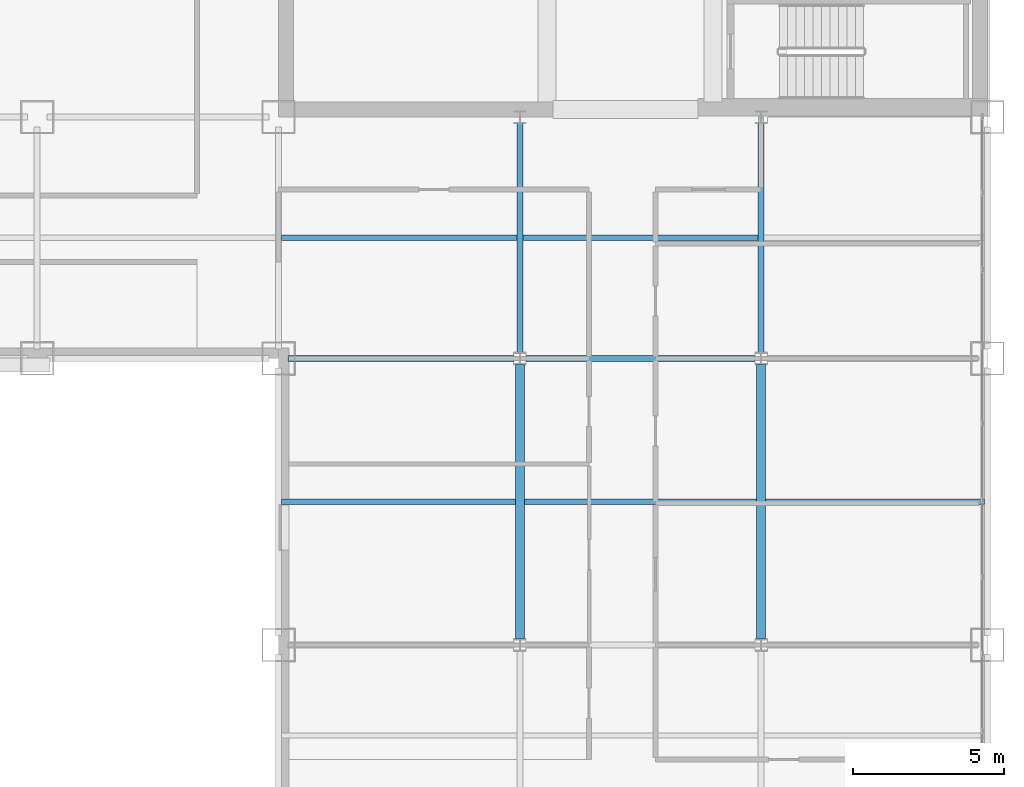
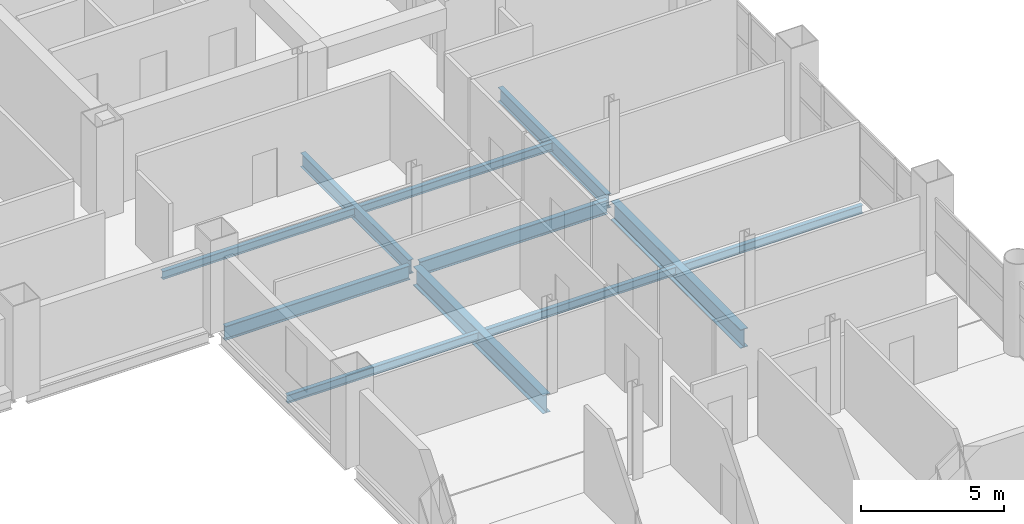
# One storey, part 6 of 16: 11 beams.
"""IFC4 building model written with IfcOpenShell, lengths in metres."""

from ifc_helpers import new_model, si_unit, direction, frame, origin, origin_2d, place, context, subcontext, project, spatial, i_section, extrude, material, material_profile, profile_set, type_object, element, save


model = new_model("IFC4")

# Units and contexts
model_context = context("Model", 3, precision=1e-05, world=origin(), true_north=direction((0.0, 1.0)))
body_context = subcontext(model_context, "Body", "Model", "MODEL_VIEW")
ifc_project = project(units=[si_unit("LENGTHUNIT", "METRE"), si_unit("AREAUNIT", "SQUARE_METRE"), si_unit("VOLUMEUNIT", "CUBIC_METRE"), si_unit("PLANEANGLEUNIT", "RADIAN"), si_unit("MASSUNIT", "GRAM", prefix="KILO")], contexts=[model_context])

# Site, building, storey
site_placement = place(None, origin())
site = spatial("IfcSite", under=ifc_project, at=site_placement, CompositionType="ELEMENT")
building_placement = place(site_placement, origin())
building = spatial("IfcBuilding", under=site, at=building_placement, Name="Qianrong Seaharbour Tower", CompositionType="ELEMENT")
storey_placement = place(building_placement, frame((0.0, 0.0, 127.0)))
storey = spatial("IfcBuildingStorey", under=building, at=storey_placement, Name="L30", CompositionType="ELEMENT", Elevation=127.0)

# Beams
ifc_material_1 = material(Name="Structural steel SN490B", Category="steel")
ifc_material_profile_1 = material_profile(ifc_material_1, i_section(OverallWidth=0.199951171875, OverallDepth=0.60009765625, WebThickness=0.010986328125, FlangeThickness=0.01708984375, FilletRadius=0.02197265625, at=origin_2d()), Name="H600x200x11x17")
ifc_profile_set_1 = profile_set([ifc_material_profile_1], Name="Structural steel SN490B")
beam_type_1 = type_object("IfcBeamType", Name="BM-G-600", PredefinedType="BEAM", material=ifc_profile_set_1)
beam_1_placement = place(storey_placement, frame((40.820068359375, 28.0, -0.534912109375), z_axis=(1.0, 0.0, 0.0), x_axis=(0.0, 1.0, 0.0)))
element("IfcBeam", 1, at=beam_1_placement, inside=storey, type_object=beam_type_1, Name="L30 Primary Girder GE G6-G7", PredefinedType="BEAM", context=body_context, shape_type="SweptSolid", body=[
    extrude(i_section(OverallWidth=0.199951171875, OverallDepth=0.60009765625, WebThickness=0.010986328125, FlangeThickness=0.01708984375, FilletRadius=0.02197265625, at=origin_2d()), origin(), (0.0, 0.0, 1.0), 7.47998046875),
])
for number, where, z_axis, x_axis, name in (
    (2, (48.699951171875, 28.0, -0.534912109375), (1.0, 0.0, 0.0), (0.0, 1.0, 0.0), "L30 Primary Girder GE G7-G8"),
    (3, (48.5, 28.199951171875, -0.534912109375), (0.0, 1.0, 0.0), (-1.0, 0.0, 0.0), "L30 Primary Girder G7 GE-GF"),
    (4, (56.5, 28.199951171875, -0.534912109375), (0.0, 1.0, 0.0), (-1.0, 0.0, 0.0), "L30 Primary Girder G8 GE-GF"),
):
    element("IfcBeam", number, at=place(storey_placement, frame(where, z_axis=z_axis, x_axis=x_axis)), inside=storey, type_object=beam_type_1, Name=name, PredefinedType="BEAM", context=body_context, shape_type="SweptSolid", body=[
        extrude(i_section(OverallWidth=0.199951171875, OverallDepth=0.60009765625, WebThickness=0.010986328125, FlangeThickness=0.01708984375, FilletRadius=0.02197265625, at=origin_2d()), origin(), (0.0, 0.0, 1.0), 7.60009765625),
    ])
ifc_material_profile_2 = material_profile(ifc_material_1, i_section(OverallWidth=0.300048828125, OverallDepth=0.800048828125, WebThickness=0.013916015625, FlangeThickness=0.02587890625, FilletRadius=0.028076171875, at=origin_2d()), Name="H800x300x14x26")
ifc_profile_set_2 = profile_set([ifc_material_profile_2], Name="Structural steel SN490B")
beam_type_2 = type_object("IfcBeamType", Name="BM-G-800", PredefinedType="BEAM", material=ifc_profile_set_2)
for number, where, z_axis, x_axis, name in (
    (5, (48.5, 18.699951171875, -0.635009765625), (0.0, 1.0, 0.0), (-1.0, 0.0, 0.0), "L30 Primary Girder G7 GD-GE"),
    (6, (56.5, 18.699951171875, -0.635009765625), (0.0, 1.0, 0.0), (-1.0, 0.0, 0.0), "L30 Primary Girder G8 GD-GE"),
):
    element("IfcBeam", number, at=place(storey_placement, frame(where, z_axis=z_axis, x_axis=x_axis)), inside=storey, type_object=beam_type_2, Name=name, PredefinedType="BEAM", context=body_context, shape_type="SweptSolid", body=[
        extrude(i_section(OverallWidth=0.300048828125, OverallDepth=0.800048828125, WebThickness=0.013916015625, FlangeThickness=0.02587890625, FilletRadius=0.028076171875, at=origin_2d()), origin(), (0.0, 0.0, 1.0), 9.10009765625),
    ])
ifc_material_2 = material(Name="Structural steel SN400B", Category="steel")
ifc_material_profile_3 = material_profile(ifc_material_2, i_section(OverallWidth=0.175048828125, OverallDepth=0.35009765625, WebThickness=0.007080078125, FlangeThickness=0.010986328125, FilletRadius=0.013916015625, at=origin_2d()), Name="H350x175x7x11")
ifc_profile_set_3 = profile_set([ifc_material_profile_3], Name="Structural steel SN400B")
beam_type_3 = type_object("IfcBeamType", Name="BM-J-350", PredefinedType="JOIST", material=ifc_profile_set_3)
beam_2_placement = place(storey_placement, frame((40.60009765625, 23.25, -0.409912109375), z_axis=(1.0, 0.0, 0.0), x_axis=(0.0, 1.0, 0.0)))
element("IfcBeam", 7, at=beam_2_placement, inside=storey, type_object=beam_type_3, Name="L30 Composite Floor Joist G6-G7/GD-GE", PredefinedType="JOIST", context=body_context, shape_type="SweptSolid", body=[
    extrude(i_section(OverallWidth=0.175048828125, OverallDepth=0.35009765625, WebThickness=0.007080078125, FlangeThickness=0.010986328125, FilletRadius=0.013916015625, at=origin_2d()), origin(), (0.0, 0.0, 1.0), 7.75),
])
beam_3_placement = place(storey_placement, frame((40.60009765625, 32.0, -0.409912109375), z_axis=(1.0, 0.0, 0.0), x_axis=(0.0, 1.0, 0.0)))
element("IfcBeam", 8, at=beam_3_placement, inside=storey, type_object=beam_type_3, Name="L30 Composite Floor Joist G6-G7/GE-GF", PredefinedType="JOIST", context=body_context, shape_type="SweptSolid", body=[
    extrude(i_section(OverallWidth=0.175048828125, OverallDepth=0.35009765625, WebThickness=0.007080078125, FlangeThickness=0.010986328125, FilletRadius=0.013916015625, at=origin_2d()), origin(), (0.0, 0.0, 1.0), 7.7998046875),
])
beam_4_placement = place(storey_placement, frame((48.64990234375, 23.25, -0.409912109375), z_axis=(1.0, 0.0, 0.0), x_axis=(0.0, 1.0, 0.0)))
element("IfcBeam", 9, at=beam_4_placement, inside=storey, type_object=beam_type_3, Name="L30 Composite Floor Joist G7-G8/GD-GE", PredefinedType="JOIST", context=body_context, shape_type="SweptSolid", body=[
    extrude(i_section(OverallWidth=0.175048828125, OverallDepth=0.35009765625, WebThickness=0.007080078125, FlangeThickness=0.010986328125, FilletRadius=0.013916015625, at=origin_2d()), origin(), (0.0, 0.0, 1.0), 7.7001953125),
])
beam_5_placement = place(storey_placement, frame((48.60009765625, 32.0, -0.409912109375), z_axis=(1.0, 0.0, 0.0), x_axis=(0.0, 1.0, 0.0)))
element("IfcBeam", 10, at=beam_5_placement, inside=storey, type_object=beam_type_3, Name="L30 Composite Floor Joist G7-G8/GE-GF", PredefinedType="JOIST", context=body_context, shape_type="SweptSolid", body=[
    extrude(i_section(OverallWidth=0.175048828125, OverallDepth=0.35009765625, WebThickness=0.007080078125, FlangeThickness=0.010986328125, FilletRadius=0.013916015625, at=origin_2d()), origin(), (0.0, 0.0, 1.0), 7.7998046875),
])
beam_6_placement = place(storey_placement, frame((56.64990234375, 23.25, -0.409912109375), z_axis=(1.0, 0.0, 0.0), x_axis=(0.0, 1.0, 0.0)))
element("IfcBeam", 11, at=beam_6_placement, inside=storey, type_object=beam_type_3, Name="L30 Composite Floor Joist G8-G9/GD-GE", PredefinedType="JOIST", context=body_context, shape_type="SweptSolid", body=[
    extrude(i_section(OverallWidth=0.175048828125, OverallDepth=0.35009765625, WebThickness=0.007080078125, FlangeThickness=0.010986328125, FilletRadius=0.013916015625, at=origin_2d()), origin(), (0.0, 0.0, 1.0), 7.25),
])

save(model, "model.ifc")
